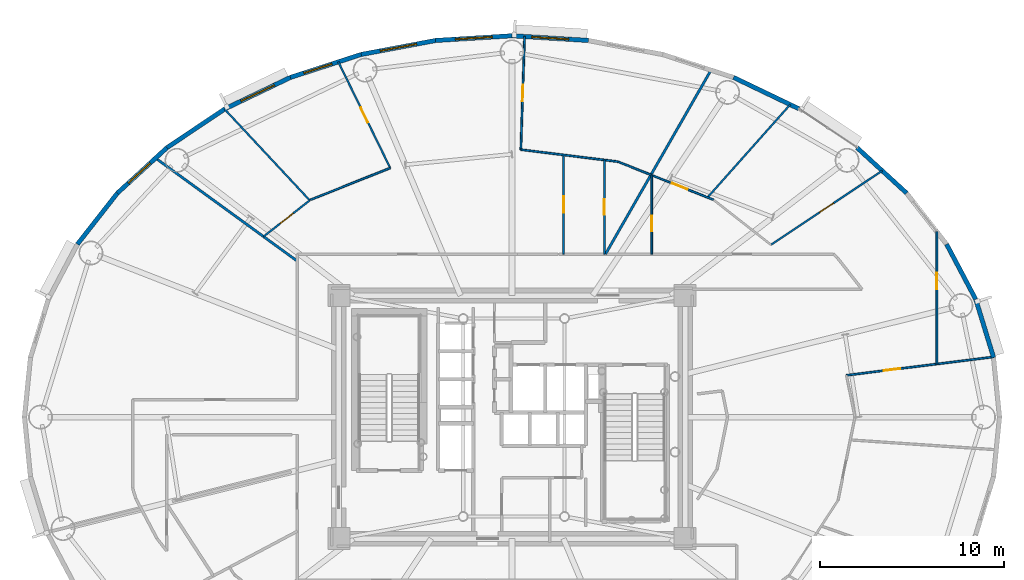
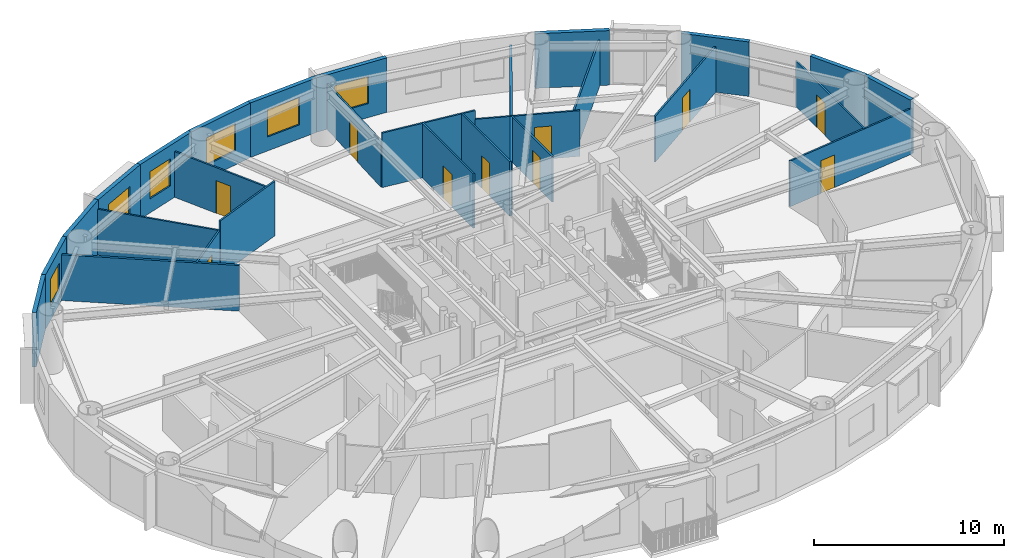
# One storey, part 12 of 19: 28 walls, 10 doors, 6 windows, 16 openings.
"""IFC4 building model written with IfcOpenShell, lengths in metres."""

import ifcopenshell
import ifcopenshell.guid

model = None  # the IFC model being written
_history = None  # IfcOwnerHistory: only IFC2X3 demands one
_inside = {}  # id of a spatial element -> (the spatial element, [elements in it])
_under = {}  # id of a project, library or spatial element -> (it, [spatial elements below it])
_declared = {}  # id of a project -> (the project, [libraries it declares])
_typed = {}  # id of a type object -> (the type object, [elements of that type])
_made_of = {}  # id of a material, layer set ... -> (it, [elements and type objects made of it])


def new_model(schema):
    """Start an empty IFC model of exactly this schema.

    Asked for "IFC4X3", IfcOpenShell would pick the latest addendum, in which some entities
    have other attributes; the version numbers below select the first issue.
    IFC2X3 requires an IfcOwnerHistory on every rooted entity: one is made here for all.
    """
    global model, _history
    if schema == "IFC4X3":
        model = ifcopenshell.file(schema_version=(4, 3, 0, 0))
    else:
        model = ifcopenshell.file(schema=schema)
    _inside.clear()
    _under.clear()
    _declared.clear()
    _typed.clear()
    _made_of.clear()
    _history = None
    if model.schema == "IFC2X3":
        org = make("IfcOrganization", Name="unknown")
        user = make(
            "IfcPersonAndOrganization",
            ThePerson=make("IfcPerson", FamilyName="unknown"),
            TheOrganization=org,
        )
        app = make(
            "IfcApplication",
            ApplicationDeveloper=org,
            Version="unknown",
            ApplicationFullName="unknown",
            ApplicationIdentifier="unknown",
        )
        _history = make(
            "IfcOwnerHistory",
            OwningUser=user,
            OwningApplication=app,
            ChangeAction="ADDED",
            CreationDate=0,
        )
    return model


def make(cls, **values):
    """One entity of the class cls with the attributes given. An attribute that is None is left unset."""
    return model.create_entity(
        cls, **{name: value for name, value in values.items() if value is not None}
    )


def rooted(cls, **values):
    """An entity with a GlobalId (a new one), such as an element, a storey or a relation."""
    return make(cls, GlobalId=ifcopenshell.guid.new(), OwnerHistory=_history, **values)


def si_unit(unit_type, name, prefix=None):
    """IfcSIUnit, for example si_unit("LENGTHUNIT", "METRE", prefix="MILLI")."""
    return make("IfcSIUnit", UnitType=unit_type, Prefix=prefix, Name=name)


def assignment(units):
    """IfcUnitAssignment: the units of a project."""
    return None if units is None else make("IfcUnitAssignment", Units=units)


def point(xyz):
    """IfcCartesianPoint."""
    return None if xyz is None else make("IfcCartesianPoint", Coordinates=xyz)


def direction(xyz):
    """IfcDirection."""
    return None if xyz is None else make("IfcDirection", DirectionRatios=xyz)


def frame(location, z_axis=None, x_axis=None):
    """IfcAxis2Placement3D, a coordinate frame: its origin and axes. An axis left out is left unset."""
    return make(
        "IfcAxis2Placement3D",
        Location=point(location),
        Axis=direction(z_axis),
        RefDirection=direction(x_axis),
    )


def frame_2d(location, x_axis=None):
    """IfcAxis2Placement2D, a coordinate frame in the plane: its origin and x axis."""
    return make(
        "IfcAxis2Placement2D", Location=point(location), RefDirection=direction(x_axis)
    )


def origin():
    """The frame at (0, 0, 0) with its axes left unset."""
    return frame((0.0, 0.0, 0.0))


def origin_2d():
    """The frame at (0, 0) in the plane with its x axis left unset."""
    return frame_2d((0.0, 0.0))


def place(relative_to, where):
    """IfcLocalPlacement: puts the frame where relative to a parent placement (None: the world)."""
    return make(
        "IfcLocalPlacement", PlacementRelTo=relative_to, RelativePlacement=where
    )


def context(
    kind, dimensions, precision=None, world=None, true_north=None, identifier=None
):
    """IfcGeometricRepresentationContext, for example the 3D "Model" context."""
    return make(
        "IfcGeometricRepresentationContext",
        ContextIdentifier=identifier,
        ContextType=kind,
        CoordinateSpaceDimension=dimensions,
        Precision=precision,
        WorldCoordinateSystem=world,
        TrueNorth=true_north,
    )


def subcontext(parent, identifier, kind, view, scale=None):
    """IfcGeometricRepresentationSubContext, for example "Body" below "Model"."""
    return make(
        "IfcGeometricRepresentationSubContext",
        ContextIdentifier=identifier,
        ContextType=kind,
        ParentContext=parent,
        TargetScale=scale,
        TargetView=view,
    )


def project(units=None, contexts=None):
    """IfcProject with its units and contexts."""
    return rooted(
        "IfcProject",
        Name="project",
        RepresentationContexts=contexts,
        UnitsInContext=assignment(units),
    )


def spatial(cls, under=None, at=None, **own):
    """A site, building, storey or space (cls), placed at a placement, below another one or the project."""
    s = rooted(cls, ObjectPlacement=at, **own)
    if under is not None:
        _under.setdefault(under.id(), (under, []))[1].append(s)
    return s


def profile(cls, at=None, kind="AREA", **sizes):
    """A parametric profile (cls). Its sizes go by their IFC names, for example OverallWidth=200.0."""
    return make(cls, ProfileType=kind, Position=at, **sizes)


def rectangle(**sizes):
    """IfcRectangleProfileDef."""
    return profile("IfcRectangleProfileDef", **sizes)


def extrude(swept, where, along, depth):
    """IfcExtrudedAreaSolid: the profile swept, set in the frame where, extruded along a direction by depth."""
    return make(
        "IfcExtrudedAreaSolid",
        SweptArea=swept,
        Position=where,
        ExtrudedDirection=direction(along),
        Depth=depth,
    )


def shape(context_of_items, identifier, shape_type, items):
    """IfcShapeRepresentation: the items that make up one representation, for example the "Body"."""
    return make(
        "IfcShapeRepresentation",
        ContextOfItems=context_of_items,
        RepresentationIdentifier=identifier,
        RepresentationType=shape_type,
        Items=items,
    )


def source(mapping_origin, context_of_items, identifier, shape_type, items):
    """IfcRepresentationMap: a shape defined once, which mapped items show again and again."""
    return make(
        "IfcRepresentationMap",
        MappingOrigin=mapping_origin,
        MappedRepresentation=shape(context_of_items, identifier, shape_type, items),
    )


def transform(
    local_origin,
    x_axis=None,
    y_axis=None,
    z_axis=None,
    scale=None,
    scale2=None,
    scale3=None,
    uniform=True,
):
    """IfcCartesianTransformationOperator3D, or its non-uniform kind. x_axis, y_axis, z_axis: its Axis1, 2, 3."""
    if uniform:
        return make(
            "IfcCartesianTransformationOperator3D",
            Axis1=direction(x_axis),
            Axis2=direction(y_axis),
            LocalOrigin=point(local_origin),
            Scale=scale,
            Axis3=direction(z_axis),
        )
    return make(
        "IfcCartesianTransformationOperator3DnonUniform",
        Axis1=direction(x_axis),
        Axis2=direction(y_axis),
        LocalOrigin=point(local_origin),
        Scale=scale,
        Axis3=direction(z_axis),
        Scale2=scale2,
        Scale3=scale3,
    )


def mapped(mapping_source, mapping_target):
    """IfcMappedItem: shows the shape of a source again, moved by a transform."""
    return make(
        "IfcMappedItem", MappingSource=mapping_source, MappingTarget=mapping_target
    )


def material(Name=None, Category=None):
    """IfcMaterial."""
    return make("IfcMaterial", Name=Name, Category=Category)


def layer(
    of_material, thickness, ventilated=None, Name=None, Category=None, Priority=None
):
    """IfcMaterialLayer: one layer of a wall or slab, of a material (None: an air gap)."""
    return make(
        "IfcMaterialLayer",
        Material=of_material,
        LayerThickness=thickness,
        IsVentilated=ventilated,
        Name=Name,
        Category=Category,
        Priority=Priority,
    )


def layer_set(layers, Name=None):
    """IfcMaterialLayerSet."""
    return make("IfcMaterialLayerSet", MaterialLayers=layers, LayerSetName=Name)


def made_of(thing, what):
    """Note that an element or type object is made of a material, layer set ...; save() writes the relation."""
    if what is not None:
        _made_of.setdefault(what.id(), (what, []))[1].append(thing)
    return thing


def type_object(cls, material=None, **own):
    """A type object (cls), such as IfcWallType, which elements share."""
    return made_of(rooted(cls, **own), material)


def element(
    cls,
    number,
    at=None,
    inside=None,
    cuts=None,
    type_object=None,
    material=None,
    context=None,
    identifier="Body",
    shape_type=None,
    held_by="IfcProductDefinitionShape",
    body=None,
    shapes=None,
    **own,
):
    """One element of the class cls, such as IfcWall. Its Tag is "e" and its number.

    at: its placement. inside: the storey or other place that contains it. cuts: it is an
    opening in that element (IfcRelVoidsElement). A single representation is given by context,
    identifier, shape_type and body (its items); several are given by shapes. held_by: the class
    of the entity that holds the representations. save() writes the other relations.
    """
    e = rooted(cls, Tag="e%d" % number, ObjectPlacement=at, **own)
    if body is not None:
        shapes = [shape(context, identifier, shape_type, body)]
    if shapes is not None:
        e.Representation = make(held_by, Representations=shapes)
    if inside is not None:
        _inside.setdefault(inside.id(), (inside, []))[1].append(e)
    if cuts is not None:
        rooted(
            "IfcRelVoidsElement", RelatingBuildingElement=cuts, RelatedOpeningElement=e
        )
    if type_object is not None:
        _typed.setdefault(type_object.id(), (type_object, []))[1].append(e)
    return made_of(e, material)


def fill(opening, filler):
    """IfcRelFillsElement: the door or window that sits in an opening."""
    return rooted(
        "IfcRelFillsElement",
        RelatingOpeningElement=opening,
        RelatedBuildingElement=filler,
    )


def aggregate(whole, parts):
    """IfcRelAggregates: a whole, such as a stair, and the parts it consists of."""
    return rooted("IfcRelAggregates", RelatingObject=whole, RelatedObjects=parts)


def save(model, path):
    """Write the relations noted so far, then the file.

    IfcRelAggregates (storeys below a building ...), IfcRelContainedInSpatialStructure (elements
    in a storey), IfcRelDefinesByType, IfcRelAssociatesMaterial and IfcRelDeclares: one each for
    every whole, place, type object, material and project.
    """
    for whole, parts in _under.values():
        aggregate(whole, parts)
    for where, things in _inside.values():
        rooted(
            "IfcRelContainedInSpatialStructure",
            RelatedElements=things,
            RelatingStructure=where,
        )
    for kind, things in _typed.values():
        rooted("IfcRelDefinesByType", RelatedObjects=things, RelatingType=kind)
    for what, things in _made_of.values():
        rooted("IfcRelAssociatesMaterial", RelatedObjects=things, RelatingMaterial=what)
    for by, libraries in _declared.values():
        rooted("IfcRelDeclares", RelatingContext=by, RelatedDefinitions=libraries)
    model.write(path)


model = new_model("IFC4")

# Units and contexts
model_context = context("Model", 3, precision=1e-05, world=origin(), true_north=direction((0.0, 1.0)))
body_context = subcontext(model_context, "Body", "Model", "MODEL_VIEW")
ifc_project = project(units=[si_unit("LENGTHUNIT", "METRE"), si_unit("AREAUNIT", "SQUARE_METRE"), si_unit("VOLUMEUNIT", "CUBIC_METRE"), si_unit("PLANEANGLEUNIT", "RADIAN"), si_unit("MASSUNIT", "GRAM", prefix="KILO")], contexts=[model_context])

# Site, building, storey
site_placement = place(None, origin())
site = spatial("IfcSite", under=ifc_project, at=site_placement, CompositionType="ELEMENT")
building_placement = place(site_placement, origin())
building = spatial("IfcBuilding", under=site, at=building_placement, Name="Linh Dai School and Residence Tower", CompositionType="ELEMENT")
storey_placement = place(building_placement, frame((0.0, 0.0, 193.64990234375)))
storey = spatial("IfcBuildingStorey", under=building, at=storey_placement, Name="L47", CompositionType="ELEMENT", Elevation=193.64990234375)

# Walls
ifc_material_1 = material(Name="Precast Concrete B45 (C35/45)", Category="concrete")
ifc_layer_1 = layer(ifc_material_1, 0.239990234375)
ifc_layer_set_1 = layer_set([ifc_layer_1], Name="Precast Concrete B45 (C35/45)")
wall_type_1 = type_object("IfcWallType", Name="EW-TC-240", PredefinedType="SOLIDWALL", material=ifc_layer_set_1)
wall_1_placement = place(storey_placement, frame((61.1826171875, 33.388916015625, 0.0), z_axis=(0.0, 0.0, 1.0), x_axis=(0.293097995113, -0.956082405058, 0.0)))
element("IfcWall", 1, at=wall_1_placement, inside=storey, type_object=wall_type_1, Name="L47 Terracotta Exterior Wall 02", PredefinedType="SOLIDWALL", context=body_context, shape_type="SweptSolid", body=[
    extrude(rectangle(XDim=3.30029296875, YDim=0.239990234375, at=frame_2d((1.650146484375, 0.0))), origin(), (0.0, 0.0, 1.0), 3.5),
])
wall_2_placement = place(storey_placement, frame((59.595947265625, 36.388427734375, 0.0), z_axis=(0.0, 0.0, 1.0), x_axis=(0.467586874938, -0.88394712194, 0.0)))
element("IfcWall", 2, at=wall_2_placement, inside=storey, type_object=wall_type_1, Name="L47 Terracotta Exterior Wall 03", PredefinedType="SOLIDWALL", context=body_context, shape_type="SweptSolid", body=[
    extrude(rectangle(XDim=3.393310546875, YDim=0.239990234375, at=frame_2d((1.69677734375, 0.0))), origin(), (0.0, 0.0, 1.0), 3.5),
])
wall_3_placement = place(storey_placement, frame((54.73193359375, 41.630615234375, 0.0), z_axis=(0.0, 0.0, 1.0), x_axis=(0.737076565834, -0.675809245349, 0.0)))
element("IfcWall", 3, at=wall_3_placement, inside=storey, type_object=wall_type_1, Name="L47 Terracotta Exterior Wall 05", PredefinedType="SOLIDWALL", context=body_context, shape_type="SweptSolid", body=[
    extrude(rectangle(XDim=3.658203125, YDim=0.239990234375, at=frame_2d((1.8291015625, 0.0))), origin(), (0.0, 0.0, 1.0), 3.5),
])
wall_4_placement = place(storey_placement, frame((48.02978515625, 45.443603515625, 0.0), z_axis=(0.0, 0.0, 1.0), x_axis=(0.901564733809, -0.432644231155, 0.0)))
element("IfcWall", 4, at=wall_4_placement, inside=storey, type_object=wall_type_1, Name="L47 Terracotta Exterior Wall 07", PredefinedType="SOLIDWALL", context=body_context, shape_type="SweptSolid", body=[
    extrude(rectangle(XDim=3.930419921875, YDim=0.239990234375, at=frame_2d((1.96533203125, 0.0))), origin(), (0.0, 0.0, 1.0), 3.5),
])

# Wall, opening, window
wall_5_placement = place(storey_placement, frame((36.0, 47.705078125, 0.0), z_axis=(0.0, 0.0, 1.0), x_axis=(0.998104600619, -0.061540281305, 0.0)))
wall_5 = element("IfcWall", 5, at=wall_5_placement, inside=storey, type_object=wall_type_1, Name="L47 Terracotta Exterior Wall 10", PredefinedType="SOLIDWALL", context=body_context, shape_type="SweptSolid", body=[
    extrude(rectangle(XDim=4.153564453125, YDim=0.239990234375, at=frame_2d((2.07666015625, 0.0))), origin(), (0.0, 0.0, 1.0), 3.5),
])
opening_1_placement = place(wall_5_placement, frame((1.076904296875, 0.0, 0.89990234375)))
opening_1 = element("IfcOpeningElement", 6, at=opening_1_placement, cuts=wall_5, Name="Opening W1", PredefinedType="OPENING", context=body_context, shape_type="SweptSolid", body=[
    extrude(rectangle(XDim=2.0, YDim=1.75, at=origin_2d()), frame((1.0, 0.1298828125, 0.875), z_axis=(0.0, -1.0, 0.0), x_axis=(1.0, 0.0, 0.0)), (0.0, 0.0, 1.0), 0.260009765625),
])
ifc_material_2 = material(Name="Double Low-E Insulated Glazing", Category="glass")
window_type_1 = type_object("IfcWindowType", Name="WN-RES-2000x1750", PartitioningType="DOUBLE_PANEL_VERTICAL", PredefinedType="WINDOW", material=ifc_material_2)
shared_shape_1 = source(origin(), body_context, "Body", "SweptSolid", [
    extrude(rectangle(XDim=2.0, YDim=1.75, at=origin_2d()), frame((1.0, 0.030029296875, 0.875), z_axis=(0.0, -1.0, 0.0), x_axis=(1.0, 0.0, 0.0)), (0.0, 0.0, 1.0), 0.06005859375),
])
window_1_placement = place(opening_1_placement, origin())
window_1 = element("IfcWindow", 7, at=window_1_placement, inside=storey, type_object=window_type_1, Name="L47 Exterior Window 10.1", OverallHeight=1.75, OverallWidth=2.0, PartitioningType="DOUBLE_PANEL_VERTICAL", PredefinedType="WINDOW", context=body_context, shape_type="MappedRepresentation", body=[
    mapped(shared_shape_1, transform((0.0, 0.0, 0.0), x_axis=(1.0, 0.0, 0.0), y_axis=(0.0, 1.0, 0.0), z_axis=(0.0, 0.0, 1.0), scale=1.0)),
])
fill(opening_1, window_1)

wall_6_placement = place(storey_placement, frame((31.854248046875, 47.449462890625, 0.0), z_axis=(0.0, 0.0, 1.0), x_axis=(0.998104600619, 0.061540281305, 0.0)))
wall_6 = element("IfcWall", 8, at=wall_6_placement, inside=storey, type_object=wall_type_1, Name="L47 Terracotta Exterior Wall 11", PredefinedType="SOLIDWALL", context=body_context, shape_type="SweptSolid", body=[
    extrude(rectangle(XDim=4.153564453125, YDim=0.239990234375, at=frame_2d((2.07666015625, 0.0))), origin(), (0.0, 0.0, 1.0), 3.5),
])
opening_2_placement = place(wall_6_placement, frame((1.076904296875, 0.0, 0.89990234375)))
opening_2 = element("IfcOpeningElement", 9, at=opening_2_placement, cuts=wall_6, Name="Opening W1", PredefinedType="OPENING", context=body_context, shape_type="SweptSolid", body=[
    extrude(rectangle(XDim=2.0, YDim=1.75, at=origin_2d()), frame((1.0, 0.1298828125, 0.875), z_axis=(0.0, -1.0, 0.0), x_axis=(1.0, 0.0, 0.0)), (0.0, 0.0, 1.0), 0.260009765625),
])
window_2_placement = place(opening_2_placement, origin())
window_2 = element("IfcWindow", 10, at=window_2_placement, inside=storey, type_object=window_type_1, Name="L47 Exterior Window 11.1", OverallHeight=1.75, OverallWidth=2.0, PartitioningType="DOUBLE_PANEL_VERTICAL", PredefinedType="WINDOW", context=body_context, shape_type="MappedRepresentation", body=[
    mapped(shared_shape_1, transform((0.0, 0.0, 0.0), x_axis=(1.0, 0.0, 0.0), y_axis=(0.0, 1.0, 0.0), z_axis=(0.0, 0.0, 1.0), scale=1.0)),
])
fill(opening_2, window_2)

wall_7_placement = place(storey_placement, frame((27.81103515625, 46.689453125, 0.0), z_axis=(0.0, 0.0, 1.0), x_axis=(0.982788108205, 0.184736391573, 0.0)))
wall_7 = element("IfcWall", 11, at=wall_7_placement, inside=storey, type_object=wall_type_1, Name="L47 Terracotta Exterior Wall 12", PredefinedType="SOLIDWALL", context=body_context, shape_type="SweptSolid", body=[
    extrude(rectangle(XDim=4.114013671875, YDim=0.239990234375, at=frame_2d((2.05712890625, 0.0))), origin(), (0.0, 0.0, 1.0), 3.5),
])
opening_3_placement = place(wall_7_placement, frame((1.05712890625, 0.0, 0.89990234375)))
opening_3 = element("IfcOpeningElement", 12, at=opening_3_placement, cuts=wall_7, Name="Opening W1", PredefinedType="OPENING", context=body_context, shape_type="SweptSolid", body=[
    extrude(rectangle(XDim=2.0, YDim=1.75, at=origin_2d()), frame((1.0, 0.1298828125, 0.875), z_axis=(0.0, -1.0, 0.0), x_axis=(1.0, 0.0, 0.0)), (0.0, 0.0, 1.0), 0.260009765625),
])
window_3_placement = place(opening_3_placement, origin())
window_3 = element("IfcWindow", 13, at=window_3_placement, inside=storey, type_object=window_type_1, Name="L47 Exterior Window 12.1", OverallHeight=1.75, OverallWidth=2.0, PartitioningType="DOUBLE_PANEL_VERTICAL", PredefinedType="WINDOW", context=body_context, shape_type="MappedRepresentation", body=[
    mapped(shared_shape_1, transform((0.0, 0.0, 0.0), x_axis=(1.0, 0.0, 0.0), y_axis=(0.0, 1.0, 0.0), z_axis=(0.0, 0.0, 1.0), scale=1.0)),
])
fill(opening_3, window_3)

wall_8_placement = place(storey_placement, frame((23.97021484375, 45.443603515625, 0.0), z_axis=(0.0, 0.0, 1.0), x_axis=(0.951209870236, 0.30854462038, 0.0)))
wall_8 = element("IfcWall", 14, at=wall_8_placement, inside=storey, type_object=wall_type_1, Name="L47 Terracotta Exterior Wall 13", PredefinedType="SOLIDWALL", context=body_context, shape_type="SweptSolid", body=[
    extrude(rectangle(XDim=4.037841796875, YDim=0.239990234375, at=frame_2d((2.01904296875, 0.0))), origin(), (0.0, 0.0, 1.0), 3.5),
])
opening_4_placement = place(wall_8_placement, frame((0.77001953125, 0.0, 0.89990234375)))
opening_4 = element("IfcOpeningElement", 15, at=opening_4_placement, cuts=wall_8, Name="Opening W2", PredefinedType="OPENING", context=body_context, shape_type="SweptSolid", body=[
    extrude(rectangle(XDim=1.60009765625, YDim=1.75, at=origin_2d()), frame((0.800048828125, 0.1298828125, 0.875), z_axis=(0.0, -1.0, 0.0), x_axis=(1.0, 0.0, 0.0)), (0.0, 0.0, 1.0), 0.260009765625),
])
window_type_2 = type_object("IfcWindowType", Name="WN-RES-1600x1750", PartitioningType="DOUBLE_PANEL_VERTICAL", PredefinedType="WINDOW", material=ifc_material_2)
shared_shape_2 = source(origin(), body_context, "Body", "SweptSolid", [
    extrude(rectangle(XDim=1.60009765625, YDim=1.75, at=origin_2d()), frame((0.800048828125, 0.030029296875, 0.875), z_axis=(0.0, -1.0, 0.0), x_axis=(1.0, 0.0, 0.0)), (0.0, 0.0, 1.0), 0.06005859375),
])
window_4_placement = place(opening_4_placement, origin())
window_4 = element("IfcWindow", 16, at=window_4_placement, inside=storey, type_object=window_type_2, Name="L47 Exterior Window 13.1", OverallHeight=1.75, OverallWidth=1.60009765625, PartitioningType="DOUBLE_PANEL_VERTICAL", PredefinedType="WINDOW", context=body_context, shape_type="MappedRepresentation", body=[
    mapped(shared_shape_2, transform((0.0, 0.0, 0.0), x_axis=(1.0, 0.0, 0.0), y_axis=(0.0, 1.0, 0.0), z_axis=(0.0, 0.0, 1.0), scale=1.0)),
])
fill(opening_4, window_4)

wall_9_placement = place(storey_placement, frame((20.4267578125, 43.7431640625, 0.0), z_axis=(0.0, 0.0, 1.0), x_axis=(0.901564733809, 0.432644231155, 0.0)))
wall_9 = element("IfcWall", 17, at=wall_9_placement, inside=storey, type_object=wall_type_1, Name="L47 Terracotta Exterior Wall 14", PredefinedType="SOLIDWALL", context=body_context, shape_type="SweptSolid", body=[
    extrude(rectangle(XDim=3.930419921875, YDim=0.239990234375, at=frame_2d((1.96533203125, 0.0))), origin(), (0.0, 0.0, 1.0), 3.5),
])
opening_5_placement = place(wall_9_placement, frame((0.960205078125, 0.0, 0.89990234375)))
opening_5 = element("IfcOpeningElement", 18, at=opening_5_placement, cuts=wall_9, Name="Opening W1", PredefinedType="OPENING", context=body_context, shape_type="SweptSolid", body=[
    extrude(rectangle(XDim=2.0, YDim=1.75, at=origin_2d()), frame((1.0, 0.1298828125, 0.875), z_axis=(0.0, -1.0, 0.0), x_axis=(1.0, 0.0, 0.0)), (0.0, 0.0, 1.0), 0.260009765625),
])
window_5_placement = place(opening_5_placement, origin())
window_5 = element("IfcWindow", 19, at=window_5_placement, inside=storey, type_object=window_type_1, Name="L47 Exterior Window 14.1", OverallHeight=1.75, OverallWidth=2.0, PartitioningType="DOUBLE_PANEL_VERTICAL", PredefinedType="WINDOW", context=body_context, shape_type="MappedRepresentation", body=[
    mapped(shared_shape_1, transform((0.0, 0.0, 0.0), x_axis=(1.0, 0.0, 0.0), y_axis=(0.0, 1.0, 0.0), z_axis=(0.0, 0.0, 1.0), scale=1.0)),
])
fill(opening_5, window_5)

# Wall
wall_10_placement = place(storey_placement, frame((17.26806640625, 41.630615234375, 0.0), z_axis=(0.0, 0.0, 1.0), x_axis=(0.831228998277, 0.555930168657, 0.0)))
element("IfcWall", 20, at=wall_10_placement, inside=storey, type_object=wall_type_1, Name="L47 Terracotta Exterior Wall 15", PredefinedType="SOLIDWALL", context=body_context, shape_type="SweptSolid", body=[
    extrude(rectangle(XDim=3.800048828125, YDim=0.239990234375, at=frame_2d((1.89990234375, 0.0))), origin(), (0.0, 0.0, 1.0), 3.5),
])

# Wall, opening, window
wall_11_placement = place(storey_placement, frame((14.57177734375, 39.158447265625, 0.0), z_axis=(0.0, 0.0, 1.0), x_axis=(0.737076565834, 0.675809245349, 0.0)))
wall_11 = element("IfcWall", 21, at=wall_11_placement, inside=storey, type_object=wall_type_1, Name="L47 Terracotta Exterior Wall 16", PredefinedType="SOLIDWALL", context=body_context, shape_type="SweptSolid", body=[
    extrude(rectangle(XDim=3.658203125, YDim=0.239990234375, at=frame_2d((1.8291015625, 0.0))), origin(), (0.0, 0.0, 1.0), 3.5),
])
opening_6_placement = place(wall_11_placement, frame((0.815185546875, 0.0, 0.89990234375)))
opening_6 = element("IfcOpeningElement", 22, at=opening_6_placement, cuts=wall_11, Name="Opening W2", PredefinedType="OPENING", context=body_context, shape_type="SweptSolid", body=[
    extrude(rectangle(XDim=1.60009765625, YDim=1.75, at=origin_2d()), frame((0.800048828125, 0.1298828125, 0.875), z_axis=(0.0, -1.0, 0.0), x_axis=(1.0, 0.0, 0.0)), (0.0, 0.0, 1.0), 0.260009765625),
])
window_6_placement = place(opening_6_placement, origin())
window_6 = element("IfcWindow", 23, at=window_6_placement, inside=storey, type_object=window_type_2, Name="L47 Exterior Window 16.1", OverallHeight=1.75, OverallWidth=1.60009765625, PartitioningType="DOUBLE_PANEL_VERTICAL", PredefinedType="WINDOW", context=body_context, shape_type="MappedRepresentation", body=[
    mapped(shared_shape_2, transform((0.0, 0.0, 0.0), x_axis=(1.0, 0.0, 0.0), y_axis=(0.0, 1.0, 0.0), z_axis=(0.0, 0.0, 1.0), scale=1.0)),
])
fill(opening_6, window_6)

# Walls
wall_12_placement = place(storey_placement, frame((12.404052734375, 36.388427734375, 0.0), z_axis=(0.0, 0.0, 1.0), x_axis=(0.616287674549, 0.787521112224, 0.0)))
element("IfcWall", 24, at=wall_12_placement, inside=storey, type_object=wall_type_1, Name="L47 Terracotta Exterior Wall 17", PredefinedType="SOLIDWALL", context=body_context, shape_type="SweptSolid", body=[
    extrude(rectangle(XDim=3.517333984375, YDim=0.239990234375, at=frame_2d((1.7587890625, 0.0))), origin(), (0.0, 0.0, 1.0), 3.5),
])
ifc_material_3 = material(Name="Autoclaved Aerated Concrete Blockwork", Category="masonry")
ifc_layer_2 = layer(ifc_material_3, 0.135009765625)
ifc_layer_set_2 = layer_set([ifc_layer_2], Name="Autoclaved Aerated Concrete Blockwork")
wall_type_2 = type_object("IfcWallType", Name="IW-CORR-135-EI90", PredefinedType="PARTITIONING", material=ifc_layer_set_2)
wall_13_placement = place(storey_placement, frame((16.642578125, 41.06396484375, 0.0), z_axis=(0.0, 0.0, 1.0), x_axis=(0.809016355942, -0.587786131018, 0.0)))
element("IfcWall", 25, at=wall_13_placement, inside=storey, type_object=wall_type_2, Name="L47 Interior Partition Wall 007", PredefinedType="PARTITIONING", context=body_context, shape_type="SweptSolid", body=[
    extrude(rectangle(XDim=9.527099609375, YDim=0.135009765625, at=frame_2d((4.763671875, 0.0))), origin(), (0.0, 0.0, 1.0), 2.93505859375),
])
wall_14_placement = place(storey_placement, frame((41.076171875, 35.85009765625, 0.0), z_axis=(0.0, 0.0, 1.0), x_axis=(0.497557605347, 0.867430936364, 0.0)))
element("IfcWall", 26, at=wall_14_placement, inside=storey, type_object=wall_type_2, Name="L47 Interior Partition Wall 068", PredefinedType="PARTITIONING", context=body_context, shape_type="SweptSolid", body=[
    extrude(rectangle(XDim=11.522216796875, YDim=0.135009765625, at=frame_2d((5.76123046875, 0.0))), origin(), (0.0, 0.0, 1.0), 2.93505859375),
])
ifc_material_4 = material(Name="Gypsum Plasterboard Acoustic Stud Partition", Category="masonry")
ifc_layer_3 = layer(ifc_material_4, 0.10009765625)
ifc_layer_set_3 = layer_set([ifc_layer_3], Name="Gypsum Plasterboard Acoustic Stud Partition")
wall_type_3 = type_object("IfcWallType", Name="IW-UNIT-100", PredefinedType="PARTITIONING", material=ifc_layer_set_3)
wall_15_placement = place(storey_placement, frame((20.39013671875, 43.724853515625, 0.0), z_axis=(0.0, 0.0, 1.0), x_axis=(0.682297728918, -0.73107442105, 0.0)))
element("IfcWall", 27, at=wall_15_placement, inside=storey, type_object=wall_type_3, Name="L47 Interior Partition Wall 013", PredefinedType="PARTITIONING", context=body_context, shape_type="SweptSolid", body=[
    extrude(rectangle(XDim=6.7822265625, YDim=0.10009765625, at=frame_2d((3.39111328125, 0.0))), origin(), (0.0, 0.0, 1.0), 2.93505859375),
])

# Wall, opening, door
wall_16_placement = place(storey_placement, frame((22.5087890625, 36.802001953125, 0.0), z_axis=(0.0, 0.0, 1.0), x_axis=(0.787322269852, 0.616541680177, 0.0)))
wall_16 = element("IfcWall", 28, at=wall_16_placement, inside=storey, type_object=wall_type_3, Name="L47 Interior Partition Wall 017", PredefinedType="PARTITIONING", context=body_context, shape_type="SweptSolid", body=[
    extrude(rectangle(XDim=3.1865234375, YDim=0.10009765625, at=frame_2d((1.59326171875, 0.0))), origin(), (0.0, 0.0, 1.0), 2.93505859375),
])
opening_7_placement = place(wall_16_placement, frame((1.143310546875, 0.0, 0.0)))
opening_7 = element("IfcOpeningElement", 29, at=opening_7_placement, cuts=wall_16, Name="Opening D05", PredefinedType="OPENING", context=body_context, shape_type="SweptSolid", body=[
    extrude(rectangle(XDim=0.89990234375, YDim=2.10009765625, at=origin_2d()), frame((0.449951171875, 0.06005859375, 1.050048828125), z_axis=(0.0, -1.0, 0.0), x_axis=(1.0, 0.0, 0.0)), (0.0, 0.0, 1.0), 0.1201171875),
])
ifc_material_5 = material(Name="Engineered Timber Internal Door", Category="wood")
door_type_1 = type_object("IfcDoorType", Name="DR-INT-900x2100", OperationType="NOTDEFINED", PredefinedType="DOOR", material=ifc_material_5)
shared_shape_3 = source(origin(), body_context, "Body", "SweptSolid", [
    extrude(rectangle(XDim=0.89990234375, YDim=2.10009765625, at=origin_2d()), frame((0.449951171875, 0.02490234375, 1.050048828125), z_axis=(0.0, -1.0, 0.0), x_axis=(1.0, 0.0, 0.0)), (0.0, 0.0, 1.0), 0.050048828125),
])
door_1_placement = place(opening_7_placement, origin())
door_1 = element("IfcDoor", 30, at=door_1_placement, inside=storey, type_object=door_type_1, Name="L47 Apartment U4703 Study Door", OperationType="SINGLE_SWING_LEFT", OverallHeight=2.10009765625, OverallWidth=0.89990234375, PredefinedType="DOOR", context=body_context, shape_type="MappedRepresentation", body=[
    mapped(shared_shape_3, transform((0.0, 0.0, 0.0), x_axis=(1.0, 0.0, 0.0), y_axis=(0.0, 1.0, 0.0), z_axis=(0.0, 0.0, 1.0), scale=1.0)),
])
fill(opening_7, door_1)

# Wall
wall_17_placement = place(storey_placement, frame((25.055419921875, 38.79638671875, 0.0), z_axis=(0.0, 0.0, 1.0), x_axis=(0.928801214375, 0.370578337434, 0.0)))
element("IfcWall", 31, at=wall_17_placement, inside=storey, type_object=wall_type_3, Name="L47 Interior Partition Wall 024", PredefinedType="PARTITIONING", context=body_context, shape_type="SweptSolid", body=[
    extrude(rectangle(XDim=4.664306640625, YDim=0.10009765625, at=frame_2d((2.33203125, 0.0))), origin(), (0.0, 0.0, 1.0), 3.5),
])

# Wall, opening, door
wall_18_placement = place(storey_placement, frame((26.568359375, 46.29150390625, 0.0), z_axis=(0.0, 0.0, 1.0), x_axis=(0.439223775301, -0.898377690735, 0.0)))
wall_18 = element("IfcWall", 32, at=wall_18_placement, inside=storey, type_object=wall_type_3, Name="L47 Interior Partition Wall 025", PredefinedType="PARTITIONING", context=body_context, shape_type="SweptSolid", body=[
    extrude(rectangle(XDim=6.4189453125, YDim=0.10009765625, at=frame_2d((3.20947265625, 0.0))), origin(), (0.0, 0.0, 1.0), 2.93505859375),
])
opening_8_placement = place(wall_18_placement, frame((2.759521484375, 0.0, 0.0)))
opening_8 = element("IfcOpeningElement", 33, at=opening_8_placement, cuts=wall_18, Name="Opening D05", PredefinedType="OPENING", context=body_context, shape_type="SweptSolid", body=[
    extrude(rectangle(XDim=0.89990234375, YDim=2.10009765625, at=origin_2d()), frame((0.449951171875, 0.06005859375, 1.050048828125), z_axis=(0.0, -1.0, 0.0), x_axis=(1.0, 0.0, 0.0)), (0.0, 0.0, 1.0), 0.1201171875),
])
door_2_placement = place(opening_8_placement, origin())
door_2 = element("IfcDoor", 34, at=door_2_placement, inside=storey, type_object=door_type_1, Name="L47 Apartment U4703 Principal Bedroom 2 Door", OperationType="SINGLE_SWING_RIGHT", OverallHeight=2.10009765625, OverallWidth=0.89990234375, PredefinedType="DOOR", context=body_context, shape_type="MappedRepresentation", body=[
    mapped(shared_shape_3, transform((0.0, 0.0, 0.0), x_axis=(1.0, 0.0, 0.0), y_axis=(0.0, 1.0, 0.0), z_axis=(0.0, 0.0, 1.0), scale=1.0)),
])
fill(opening_8, door_2)

wall_19_placement = place(storey_placement, frame((36.479736328125, 41.521484375, 0.0), z_axis=(0.0, 0.0, 1.0), x_axis=(0.033029315495, 0.99945438331, 0.0)))
wall_19 = element("IfcWall", 35, at=wall_19_placement, inside=storey, type_object=wall_type_3, Name="L47 Interior Partition Wall 051", PredefinedType="PARTITIONING", context=body_context, shape_type="SweptSolid", body=[
    extrude(rectangle(XDim=6.14990234375, YDim=0.10009765625, at=frame_2d((3.074951171875, 0.0))), origin(), (0.0, 0.0, 1.0), 2.93505859375),
])
opening_9_placement = place(wall_19_placement, frame((2.625, 0.0, 0.0)))
opening_9 = element("IfcOpeningElement", 36, at=opening_9_placement, cuts=wall_19, Name="Opening D05", PredefinedType="OPENING", context=body_context, shape_type="SweptSolid", body=[
    extrude(rectangle(XDim=0.89990234375, YDim=2.10009765625, at=origin_2d()), frame((0.449951171875, 0.06005859375, 1.050048828125), z_axis=(0.0, -1.0, 0.0), x_axis=(1.0, 0.0, 0.0)), (0.0, 0.0, 1.0), 0.1201171875),
])
door_3_placement = place(opening_9_placement, origin())
door_3 = element("IfcDoor", 37, at=door_3_placement, inside=storey, type_object=door_type_1, Name="L47 Apartment U4703 Principal Bedroom 1 Door", OperationType="SINGLE_SWING_LEFT", OverallHeight=2.10009765625, OverallWidth=0.89990234375, PredefinedType="DOOR", context=body_context, shape_type="MappedRepresentation", body=[
    mapped(shared_shape_3, transform((0.0, 0.0, 0.0), x_axis=(1.0, 0.0, 0.0), y_axis=(0.0, 1.0, 0.0), z_axis=(0.0, 0.0, 1.0), scale=1.0)),
])
fill(opening_9, door_3)

# Wall
wall_20_placement = place(storey_placement, frame((36.479736328125, 41.521484375, 0.0), z_axis=(0.0, 0.0, 1.0), x_axis=(0.992397562131, -0.123073468612, 0.0)))
element("IfcWall", 38, at=wall_20_placement, inside=storey, type_object=wall_type_3, Name="L47 Interior Partition Wall 052", PredefinedType="PARTITIONING", context=body_context, shape_type="SweptSolid", body=[
    extrude(rectangle(XDim=5.314208984375, YDim=0.10009765625, at=frame_2d((2.6572265625, 0.0))), origin(), (0.0, 0.0, 1.0), 3.5),
])

# Wall, opening, door
wall_21_placement = place(storey_placement, frame((38.798828125, 35.85009765625, 0.0), z_axis=(0.0, 0.0, 1.0), x_axis=(0.0, 1.0, 0.0)))
wall_21 = element("IfcWall", 39, at=wall_21_placement, inside=storey, type_object=wall_type_3, Name="L47 Interior Partition Wall 059", PredefinedType="PARTITIONING", context=body_context, shape_type="SweptSolid", body=[
    extrude(rectangle(XDim=5.3837890625, YDim=0.10009765625, at=frame_2d((2.69189453125, 0.0))), origin(), (0.0, 0.0, 1.0), 3.5),
])
opening_10_placement = place(wall_21_placement, frame((2.241943359375, 0.0, 0.0)))
opening_10 = element("IfcOpeningElement", 40, at=opening_10_placement, cuts=wall_21, Name="Opening D05", PredefinedType="OPENING", context=body_context, shape_type="SweptSolid", body=[
    extrude(rectangle(XDim=0.89990234375, YDim=2.10009765625, at=origin_2d()), frame((0.449951171875, 0.06005859375, 1.050048828125), z_axis=(0.0, -1.0, 0.0), x_axis=(1.0, 0.0, 0.0)), (0.0, 0.0, 1.0), 0.1201171875),
])
door_4_placement = place(opening_10_placement, origin())
door_4 = element("IfcDoor", 41, at=door_4_placement, inside=storey, type_object=door_type_1, Name="L47 Apartment U4703 Kitchen Door", OperationType="SINGLE_SWING_RIGHT", OverallHeight=2.10009765625, OverallWidth=0.89990234375, PredefinedType="DOOR", context=body_context, shape_type="MappedRepresentation", body=[
    mapped(shared_shape_3, transform((0.0, 0.0, 0.0), x_axis=(1.0, 0.0, 0.0), y_axis=(0.0, 1.0, 0.0), z_axis=(0.0, 0.0, 1.0), scale=1.0)),
])
fill(opening_10, door_4)

wall_22_placement = place(storey_placement, frame((41.02001953125, 35.85009765625, 0.0), z_axis=(0.0, 0.0, 1.0), x_axis=(0.0, 1.0, 0.0)))
wall_22 = element("IfcWall", 42, at=wall_22_placement, inside=storey, type_object=wall_type_3, Name="L47 Interior Partition Wall 067", PredefinedType="PARTITIONING", context=body_context, shape_type="SweptSolid", body=[
    extrude(rectangle(XDim=5.108154296875, YDim=0.10009765625, at=frame_2d((2.55419921875, 0.0))), origin(), (0.0, 0.0, 1.0), 3.5),
])
opening_11_placement = place(wall_22_placement, frame((2.144287109375, 0.0, 0.0)))
opening_11 = element("IfcOpeningElement", 43, at=opening_11_placement, cuts=wall_22, Name="Opening D06", PredefinedType="OPENING", context=body_context, shape_type="SweptSolid", body=[
    extrude(rectangle(XDim=0.820068359375, YDim=2.10009765625, at=origin_2d()), frame((0.41015625, 0.06005859375, 1.050048828125), z_axis=(0.0, -1.0, 0.0), x_axis=(1.0, 0.0, 0.0)), (0.0, 0.0, 1.0), 0.1201171875),
])
ifc_material_6 = material(Name="Moisture-Resistant Timber Bathroom Door", Category="wood")
door_type_2 = type_object("IfcDoorType", Name="DR-WET-820x2100", OperationType="NOTDEFINED", PredefinedType="DOOR", material=ifc_material_6)
shared_shape_4 = source(origin(), body_context, "Body", "SweptSolid", [
    extrude(rectangle(XDim=0.820068359375, YDim=2.10009765625, at=origin_2d()), frame((0.41015625, 0.02490234375, 1.050048828125), z_axis=(0.0, -1.0, 0.0), x_axis=(1.0, 0.0, 0.0)), (0.0, 0.0, 1.0), 0.050048828125),
])
door_5_placement = place(opening_11_placement, origin())
door_5 = element("IfcDoor", 44, at=door_5_placement, inside=storey, type_object=door_type_2, Name="L47 Apartment U4703 Bathroom 1 Door", OperationType="SINGLE_SWING_LEFT", OverallHeight=2.10009765625, OverallWidth=0.820068359375, PredefinedType="DOOR", context=body_context, shape_type="MappedRepresentation", body=[
    mapped(shared_shape_4, transform((0.0, 0.0, 0.0), x_axis=(1.0, 0.0, 0.0), y_axis=(0.0, 1.0, 0.0), z_axis=(0.0, 0.0, 1.0), scale=1.0)),
])
fill(opening_11, door_5)

wall_23_placement = place(storey_placement, frame((41.75390625, 40.867431640625, 0.0), z_axis=(0.0, 0.0, 1.0), x_axis=(0.928792710591, -0.370599650233, 0.0)))
wall_23 = element("IfcWall", 45, at=wall_23_placement, inside=storey, type_object=wall_type_3, Name="L47 Interior Partition Wall 071", PredefinedType="PARTITIONING", context=body_context, shape_type="SweptSolid", body=[
    extrude(rectangle(XDim=5.58837890625, YDim=0.10009765625, at=frame_2d((2.794189453125, 0.0))), origin(), (0.0, 0.0, 1.0), 2.93505859375),
])
opening_12_placement = place(wall_23_placement, frame((3.156005859375, 0.0, 0.0)))
opening_12 = element("IfcOpeningElement", 46, at=opening_12_placement, cuts=wall_23, Name="Opening D05", PredefinedType="OPENING", context=body_context, shape_type="SweptSolid", body=[
    extrude(rectangle(XDim=0.89990234375, YDim=2.10009765625, at=origin_2d()), frame((0.449951171875, 0.06005859375, 1.050048828125), z_axis=(0.0, -1.0, 0.0), x_axis=(1.0, 0.0, 0.0)), (0.0, 0.0, 1.0), 0.1201171875),
])
door_6_placement = place(opening_12_placement, origin())
door_6 = element("IfcDoor", 47, at=door_6_placement, inside=storey, type_object=door_type_1, Name="L47 Apartment U4702 Study Door", OperationType="SINGLE_SWING_LEFT", OverallHeight=2.10009765625, OverallWidth=0.89990234375, PredefinedType="DOOR", context=body_context, shape_type="MappedRepresentation", body=[
    mapped(shared_shape_3, transform((0.0, 0.0, 0.0), x_axis=(1.0, 0.0, 0.0), y_axis=(0.0, 1.0, 0.0), z_axis=(0.0, 0.0, 1.0), scale=1.0)),
])
fill(opening_12, door_6)

wall_24_placement = place(storey_placement, frame((43.5888671875, 35.85009765625, 0.0), z_axis=(0.0, 0.0, 1.0), x_axis=(0.0, 1.0, 0.0)))
wall_24 = element("IfcWall", 48, at=wall_24_placement, inside=storey, type_object=wall_type_3, Name="L47 Interior Partition Wall 072", PredefinedType="PARTITIONING", context=body_context, shape_type="SweptSolid", body=[
    extrude(rectangle(XDim=4.28515625, YDim=0.10009765625, at=frame_2d((2.142578125, 0.0))), origin(), (0.0, 0.0, 1.0), 2.93505859375),
])
opening_13_placement = place(wall_24_placement, frame((1.248779296875, 0.0, 0.0)))
opening_13 = element("IfcOpeningElement", 49, at=opening_13_placement, cuts=wall_24, Name="Opening D06", PredefinedType="OPENING", context=body_context, shape_type="SweptSolid", body=[
    extrude(rectangle(XDim=0.820068359375, YDim=2.10009765625, at=origin_2d()), frame((0.41015625, 0.06005859375, 1.050048828125), z_axis=(0.0, -1.0, 0.0), x_axis=(1.0, 0.0, 0.0)), (0.0, 0.0, 1.0), 0.1201171875),
])
door_7_placement = place(opening_13_placement, origin())
door_7 = element("IfcDoor", 50, at=door_7_placement, inside=storey, type_object=door_type_2, Name="L47 Apartment U4702 Bathroom 1 Door", OperationType="SINGLE_SWING_RIGHT", OverallHeight=2.10009765625, OverallWidth=0.820068359375, PredefinedType="DOOR", context=body_context, shape_type="MappedRepresentation", body=[
    mapped(shared_shape_4, transform((0.0, 0.0, 0.0), x_axis=(1.0, 0.0, 0.0), y_axis=(0.0, 1.0, 0.0), z_axis=(0.0, 0.0, 1.0), scale=1.0)),
])
fill(opening_13, door_7)

# Wall
wall_25_placement = place(storey_placement, frame((46.617431640625, 38.9267578125, 0.0), z_axis=(0.0, 0.0, 1.0), x_axis=(0.664908846083, 0.746924511849, 0.0)))
element("IfcWall", 51, at=wall_25_placement, inside=storey, type_object=wall_type_3, Name="L47 Interior Partition Wall 078", PredefinedType="PARTITIONING", context=body_context, shape_type="SweptSolid", body=[
    extrude(rectangle(XDim=6.754150390625, YDim=0.10009765625, at=frame_2d((3.376953125, 0.0))), origin(), (0.0, 0.0, 1.0), 2.93505859375),
])

# Wall, opening, door
wall_26_placement = place(storey_placement, frame((50.060302734375, 36.3564453125, 0.0), z_axis=(0.0, 0.0, 1.0), x_axis=(0.832520763353, 0.553993843455, 0.0)))
wall_26 = element("IfcWall", 52, at=wall_26_placement, inside=storey, type_object=wall_type_3, Name="L47 Interior Partition Wall 082", PredefinedType="PARTITIONING", context=body_context, shape_type="SweptSolid", body=[
    extrude(rectangle(XDim=7.260498046875, YDim=0.10009765625, at=frame_2d((3.63037109375, 0.0))), origin(), (0.0, 0.0, 1.0), 2.93505859375),
])
opening_14_placement = place(wall_26_placement, frame((3.18017578125, 0.0, 0.0)))
opening_14 = element("IfcOpeningElement", 53, at=opening_14_placement, cuts=wall_26, Name="Opening D05", PredefinedType="OPENING", context=body_context, shape_type="SweptSolid", body=[
    extrude(rectangle(XDim=0.89990234375, YDim=2.10009765625, at=origin_2d()), frame((0.449951171875, 0.06005859375, 1.050048828125), z_axis=(0.0, -1.0, 0.0), x_axis=(1.0, 0.0, 0.0)), (0.0, 0.0, 1.0), 0.1201171875),
])
door_8_placement = place(opening_14_placement, origin())
door_8 = element("IfcDoor", 54, at=door_8_placement, inside=storey, type_object=door_type_1, Name="L47 Apartment U4702 Principal Bedroom 3 Door", OperationType="SINGLE_SWING_RIGHT", OverallHeight=2.10009765625, OverallWidth=0.89990234375, PredefinedType="DOOR", context=body_context, shape_type="MappedRepresentation", body=[
    mapped(shared_shape_3, transform((0.0, 0.0, 0.0), x_axis=(1.0, 0.0, 0.0), y_axis=(0.0, 1.0, 0.0), z_axis=(0.0, 0.0, 1.0), scale=1.0)),
])
fill(opening_14, door_8)

wall_27_placement = place(storey_placement, frame((54.1611328125, 29.26904296875, 0.0), z_axis=(0.0, 0.0, 1.0), x_axis=(0.99228860955, 0.123948841697, 0.0)))
wall_27 = element("IfcWall", 55, at=wall_27_placement, inside=storey, type_object=wall_type_3, Name="L47 Interior Partition Wall 090", PredefinedType="PARTITIONING", context=body_context, shape_type="SweptSolid", body=[
    extrude(rectangle(XDim=8.046142578125, YDim=0.10009765625, at=frame_2d((4.02294921875, 0.0))), origin(), (0.0, 0.0, 1.0), 2.93505859375),
])
opening_15_placement = place(wall_27_placement, frame((2.0419921875, 0.0, 0.0)))
opening_15 = element("IfcOpeningElement", 56, at=opening_15_placement, cuts=wall_27, Name="Opening D05", PredefinedType="OPENING", context=body_context, shape_type="SweptSolid", body=[
    extrude(rectangle(XDim=0.89990234375, YDim=2.10009765625, at=origin_2d()), frame((0.449951171875, 0.06005859375, 1.050048828125), z_axis=(0.0, -1.0, 0.0), x_axis=(1.0, 0.0, 0.0)), (0.0, 0.0, 1.0), 0.1201171875),
])
door_9_placement = place(opening_15_placement, origin())
door_9 = element("IfcDoor", 57, at=door_9_placement, inside=storey, type_object=door_type_1, Name="L47 Apartment U4702 Study Door", OperationType="SINGLE_SWING_LEFT", OverallHeight=2.10009765625, OverallWidth=0.89990234375, PredefinedType="DOOR", context=body_context, shape_type="MappedRepresentation", body=[
    mapped(shared_shape_3, transform((0.0, 0.0, 0.0), x_axis=(1.0, 0.0, 0.0), y_axis=(0.0, 1.0, 0.0), z_axis=(0.0, 0.0, 1.0), scale=1.0)),
])
fill(opening_15, door_9)

wall_28_placement = place(storey_placement, frame((59.066650390625, 29.8818359375, 0.0), z_axis=(0.0, 0.0, 1.0), x_axis=(0.0, 1.0, 0.0)))
wall_28 = element("IfcWall", 58, at=wall_28_placement, inside=storey, type_object=wall_type_3, Name="L47 Interior Partition Wall 092", PredefinedType="PARTITIONING", context=body_context, shape_type="SweptSolid", body=[
    extrude(rectangle(XDim=7.191162109375, YDim=0.10009765625, at=frame_2d((3.595703125, 0.0))), origin(), (0.0, 0.0, 1.0), 2.93505859375),
])
opening_16_placement = place(wall_28_placement, frame((4.05322265625, 0.0, 0.0)))
opening_16 = element("IfcOpeningElement", 59, at=opening_16_placement, cuts=wall_28, Name="Opening D05", PredefinedType="OPENING", context=body_context, shape_type="SweptSolid", body=[
    extrude(rectangle(XDim=0.89990234375, YDim=2.10009765625, at=origin_2d()), frame((0.449951171875, 0.06005859375, 1.050048828125), z_axis=(0.0, -1.0, 0.0), x_axis=(1.0, 0.0, 0.0)), (0.0, 0.0, 1.0), 0.1201171875),
])
door_10_placement = place(opening_16_placement, origin())
door_10 = element("IfcDoor", 60, at=door_10_placement, inside=storey, type_object=door_type_1, Name="L47 Apartment U4702 Kitchen Door", OperationType="SINGLE_SWING_LEFT", OverallHeight=2.10009765625, OverallWidth=0.89990234375, PredefinedType="DOOR", context=body_context, shape_type="MappedRepresentation", body=[
    mapped(shared_shape_3, transform((0.0, 0.0, 0.0), x_axis=(1.0, 0.0, 0.0), y_axis=(0.0, 1.0, 0.0), z_axis=(0.0, 0.0, 1.0), scale=1.0)),
])
fill(opening_16, door_10)

save(model, "model.ifc")
